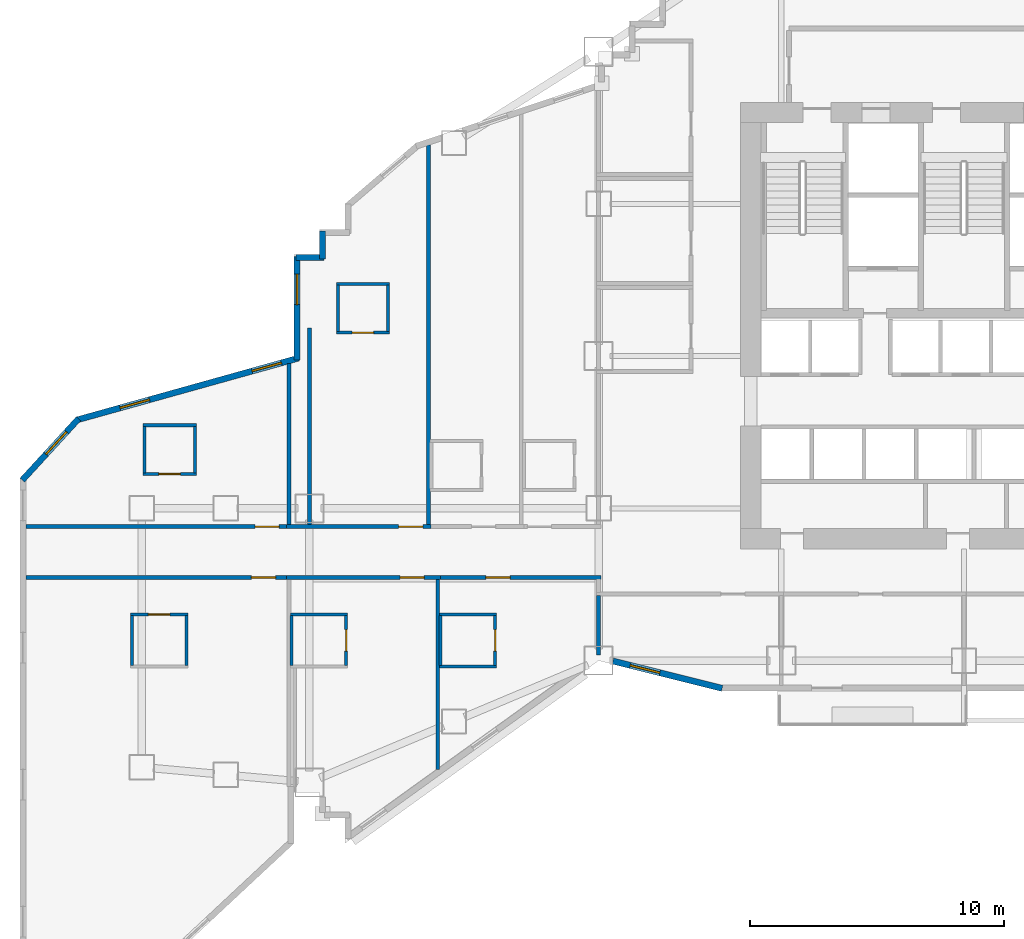
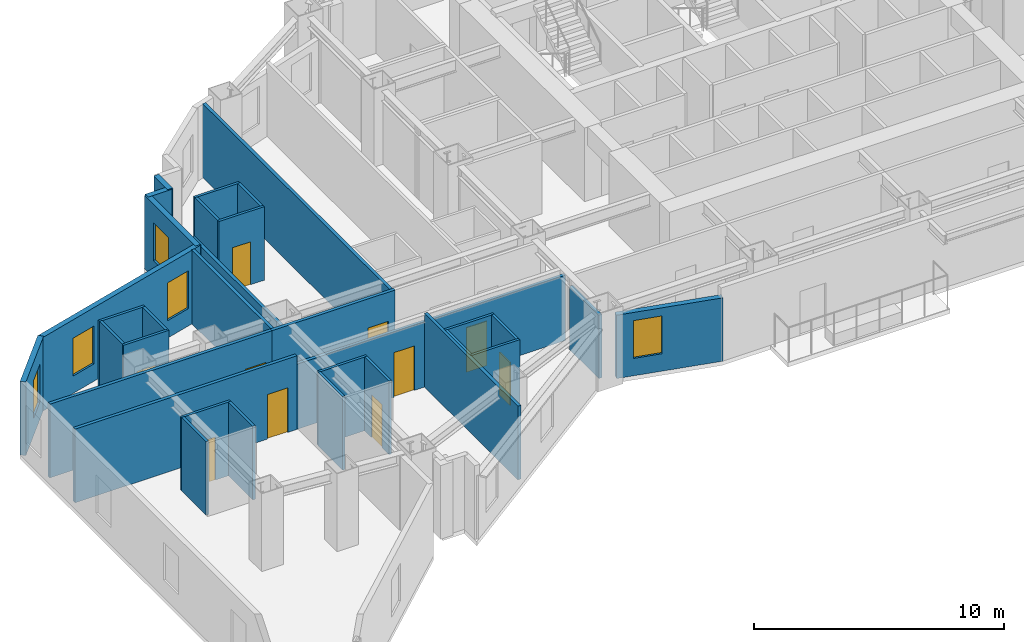
# One storey, part 7 of 15: 34 walls, 10 doors, 5 windows, 15 openings.
"""IFC4 building model written with IfcOpenShell, lengths in metres."""

import ifcopenshell
import ifcopenshell.guid

model = None  # the IFC model being written
_history = None  # IfcOwnerHistory: only IFC2X3 demands one
_inside = {}  # id of a spatial element -> (the spatial element, [elements in it])
_under = {}  # id of a project, library or spatial element -> (it, [spatial elements below it])
_declared = {}  # id of a project -> (the project, [libraries it declares])
_typed = {}  # id of a type object -> (the type object, [elements of that type])
_made_of = {}  # id of a material, layer set ... -> (it, [elements and type objects made of it])


def new_model(schema):
    """Start an empty IFC model of exactly this schema.

    Asked for "IFC4X3", IfcOpenShell would pick the latest addendum, in which some entities
    have other attributes; the version numbers below select the first issue.
    IFC2X3 requires an IfcOwnerHistory on every rooted entity: one is made here for all.
    """
    global model, _history
    if schema == "IFC4X3":
        model = ifcopenshell.file(schema_version=(4, 3, 0, 0))
    else:
        model = ifcopenshell.file(schema=schema)
    _inside.clear()
    _under.clear()
    _declared.clear()
    _typed.clear()
    _made_of.clear()
    _history = None
    if model.schema == "IFC2X3":
        org = make("IfcOrganization", Name="unknown")
        user = make(
            "IfcPersonAndOrganization",
            ThePerson=make("IfcPerson", FamilyName="unknown"),
            TheOrganization=org,
        )
        app = make(
            "IfcApplication",
            ApplicationDeveloper=org,
            Version="unknown",
            ApplicationFullName="unknown",
            ApplicationIdentifier="unknown",
        )
        _history = make(
            "IfcOwnerHistory",
            OwningUser=user,
            OwningApplication=app,
            ChangeAction="ADDED",
            CreationDate=0,
        )
    return model


def make(cls, **values):
    """One entity of the class cls with the attributes given. An attribute that is None is left unset."""
    return model.create_entity(
        cls, **{name: value for name, value in values.items() if value is not None}
    )


def rooted(cls, **values):
    """An entity with a GlobalId (a new one), such as an element, a storey or a relation."""
    return make(cls, GlobalId=ifcopenshell.guid.new(), OwnerHistory=_history, **values)


def si_unit(unit_type, name, prefix=None):
    """IfcSIUnit, for example si_unit("LENGTHUNIT", "METRE", prefix="MILLI")."""
    return make("IfcSIUnit", UnitType=unit_type, Prefix=prefix, Name=name)


def assignment(units):
    """IfcUnitAssignment: the units of a project."""
    return None if units is None else make("IfcUnitAssignment", Units=units)


def point(xyz):
    """IfcCartesianPoint."""
    return None if xyz is None else make("IfcCartesianPoint", Coordinates=xyz)


def direction(xyz):
    """IfcDirection."""
    return None if xyz is None else make("IfcDirection", DirectionRatios=xyz)


def frame(location, z_axis=None, x_axis=None):
    """IfcAxis2Placement3D, a coordinate frame: its origin and axes. An axis left out is left unset."""
    return make(
        "IfcAxis2Placement3D",
        Location=point(location),
        Axis=direction(z_axis),
        RefDirection=direction(x_axis),
    )


def frame_2d(location, x_axis=None):
    """IfcAxis2Placement2D, a coordinate frame in the plane: its origin and x axis."""
    return make(
        "IfcAxis2Placement2D", Location=point(location), RefDirection=direction(x_axis)
    )


def origin():
    """The frame at (0, 0, 0) with its axes left unset."""
    return frame((0.0, 0.0, 0.0))


def place(relative_to, where):
    """IfcLocalPlacement: puts the frame where relative to a parent placement (None: the world)."""
    return make(
        "IfcLocalPlacement", PlacementRelTo=relative_to, RelativePlacement=where
    )


def context(
    kind, dimensions, precision=None, world=None, true_north=None, identifier=None
):
    """IfcGeometricRepresentationContext, for example the 3D "Model" context."""
    return make(
        "IfcGeometricRepresentationContext",
        ContextIdentifier=identifier,
        ContextType=kind,
        CoordinateSpaceDimension=dimensions,
        Precision=precision,
        WorldCoordinateSystem=world,
        TrueNorth=true_north,
    )


def subcontext(parent, identifier, kind, view, scale=None):
    """IfcGeometricRepresentationSubContext, for example "Body" below "Model"."""
    return make(
        "IfcGeometricRepresentationSubContext",
        ContextIdentifier=identifier,
        ContextType=kind,
        ParentContext=parent,
        TargetScale=scale,
        TargetView=view,
    )


def project(units=None, contexts=None):
    """IfcProject with its units and contexts."""
    return rooted(
        "IfcProject",
        Name="project",
        RepresentationContexts=contexts,
        UnitsInContext=assignment(units),
    )


def spatial(cls, under=None, at=None, **own):
    """A site, building, storey or space (cls), placed at a placement, below another one or the project."""
    s = rooted(cls, ObjectPlacement=at, **own)
    if under is not None:
        _under.setdefault(under.id(), (under, []))[1].append(s)
    return s


def profile(cls, at=None, kind="AREA", **sizes):
    """A parametric profile (cls). Its sizes go by their IFC names, for example OverallWidth=200.0."""
    return make(cls, ProfileType=kind, Position=at, **sizes)


def rectangle(**sizes):
    """IfcRectangleProfileDef."""
    return profile("IfcRectangleProfileDef", **sizes)


def extrude(swept, where, along, depth):
    """IfcExtrudedAreaSolid: the profile swept, set in the frame where, extruded along a direction by depth."""
    return make(
        "IfcExtrudedAreaSolid",
        SweptArea=swept,
        Position=where,
        ExtrudedDirection=direction(along),
        Depth=depth,
    )


def shape(context_of_items, identifier, shape_type, items):
    """IfcShapeRepresentation: the items that make up one representation, for example the "Body"."""
    return make(
        "IfcShapeRepresentation",
        ContextOfItems=context_of_items,
        RepresentationIdentifier=identifier,
        RepresentationType=shape_type,
        Items=items,
    )


def material(Name=None, Category=None):
    """IfcMaterial."""
    return make("IfcMaterial", Name=Name, Category=Category)


def layer(
    of_material, thickness, ventilated=None, Name=None, Category=None, Priority=None
):
    """IfcMaterialLayer: one layer of a wall or slab, of a material (None: an air gap)."""
    return make(
        "IfcMaterialLayer",
        Material=of_material,
        LayerThickness=thickness,
        IsVentilated=ventilated,
        Name=Name,
        Category=Category,
        Priority=Priority,
    )


def layer_set(layers, Name=None):
    """IfcMaterialLayerSet."""
    return make("IfcMaterialLayerSet", MaterialLayers=layers, LayerSetName=Name)


def made_of(thing, what):
    """Note that an element or type object is made of a material, layer set ...; save() writes the relation."""
    if what is not None:
        _made_of.setdefault(what.id(), (what, []))[1].append(thing)
    return thing


def type_object(cls, material=None, **own):
    """A type object (cls), such as IfcWallType, which elements share."""
    return made_of(rooted(cls, **own), material)


def element(
    cls,
    number,
    at=None,
    inside=None,
    cuts=None,
    type_object=None,
    material=None,
    context=None,
    identifier="Body",
    shape_type=None,
    held_by="IfcProductDefinitionShape",
    body=None,
    shapes=None,
    **own,
):
    """One element of the class cls, such as IfcWall. Its Tag is "e" and its number.

    at: its placement. inside: the storey or other place that contains it. cuts: it is an
    opening in that element (IfcRelVoidsElement). A single representation is given by context,
    identifier, shape_type and body (its items); several are given by shapes. held_by: the class
    of the entity that holds the representations. save() writes the other relations.
    """
    e = rooted(cls, Tag="e%d" % number, ObjectPlacement=at, **own)
    if body is not None:
        shapes = [shape(context, identifier, shape_type, body)]
    if shapes is not None:
        e.Representation = make(held_by, Representations=shapes)
    if inside is not None:
        _inside.setdefault(inside.id(), (inside, []))[1].append(e)
    if cuts is not None:
        rooted(
            "IfcRelVoidsElement", RelatingBuildingElement=cuts, RelatedOpeningElement=e
        )
    if type_object is not None:
        _typed.setdefault(type_object.id(), (type_object, []))[1].append(e)
    return made_of(e, material)


def fill(opening, filler):
    """IfcRelFillsElement: the door or window that sits in an opening."""
    return rooted(
        "IfcRelFillsElement",
        RelatingOpeningElement=opening,
        RelatedBuildingElement=filler,
    )


def aggregate(whole, parts):
    """IfcRelAggregates: a whole, such as a stair, and the parts it consists of."""
    return rooted("IfcRelAggregates", RelatingObject=whole, RelatedObjects=parts)


def save(model, path):
    """Write the relations noted so far, then the file.

    IfcRelAggregates (storeys below a building ...), IfcRelContainedInSpatialStructure (elements
    in a storey), IfcRelDefinesByType, IfcRelAssociatesMaterial and IfcRelDeclares: one each for
    every whole, place, type object, material and project.
    """
    for whole, parts in _under.values():
        aggregate(whole, parts)
    for where, things in _inside.values():
        rooted(
            "IfcRelContainedInSpatialStructure",
            RelatedElements=things,
            RelatingStructure=where,
        )
    for kind, things in _typed.values():
        rooted("IfcRelDefinesByType", RelatedObjects=things, RelatingType=kind)
    for what, things in _made_of.values():
        rooted("IfcRelAssociatesMaterial", RelatedObjects=things, RelatingMaterial=what)
    for by, libraries in _declared.values():
        rooted("IfcRelDeclares", RelatingContext=by, RelatedDefinitions=libraries)
    model.write(path)


model = new_model("IFC4")

# Units and contexts
model_context = context("Model", 3, precision=1e-05, world=origin(), true_north=direction((0.0, 1.0)))
body_context = subcontext(model_context, "Body", "Model", "MODEL_VIEW")
ifc_project = project(units=[si_unit("LENGTHUNIT", "METRE"), si_unit("AREAUNIT", "SQUARE_METRE"), si_unit("VOLUMEUNIT", "CUBIC_METRE"), si_unit("PLANEANGLEUNIT", "RADIAN"), si_unit("MASSUNIT", "GRAM", prefix="KILO")], contexts=[model_context])

# Site, building, storey
site_placement = place(None, origin())
site = spatial("IfcSite", under=ifc_project, at=site_placement, CompositionType="ELEMENT")
building_placement = place(site_placement, origin())
building = spatial("IfcBuilding", under=site, at=building_placement, Name="Haolan Belvedere Tower", CompositionType="ELEMENT")
storey_placement = place(building_placement, frame((0.0, 0.0, 66.60009765625)))
storey = spatial("IfcBuildingStorey", under=building, at=storey_placement, Name="L16", CompositionType="ELEMENT", Elevation=66.60009765625)

# Wall, opening, window
ifc_material_1 = material(Name="Precast concrete C40/50", Category="concrete")
ifc_layer_1 = layer(ifc_material_1, 0.239990234375, Name="Precast concrete C40/50")
ifc_layer_set_1 = layer_set([ifc_layer_1], Name="Precast concrete C40/50")
wall_type_1 = type_object("IfcWallType", Name="WL-EXT-240", PredefinedType="SOLIDWALL", material=ifc_layer_set_1)
wall_1_placement = place(storey_placement, frame((24.56689453125, 21.581787109375, 0.0), z_axis=(0.0, 0.0, 1.0), x_axis=(0.970148978127, -0.24250971164, 0.0)))
wall_1 = element("IfcWall", 1, at=wall_1_placement, inside=storey, type_object=wall_type_1, Name="L16 pale-metal exterior spandrel wall 12.1", PredefinedType="SOLIDWALL", context=body_context, shape_type="SweptSolid", body=[
    extrude(rectangle(XDim=4.43359375, YDim=0.239990234375, at=frame_2d((2.216796875, 0.0))), origin(), (0.0, 0.0, 1.0), 3.096923828125),
])
opening_1_placement = place(wall_1_placement, frame((0.699951171875, 0.0, 0.85009765625)))
opening_1 = element("IfcOpeningElement", 2, at=opening_1_placement, cuts=wall_1, Name="Opening W-01", PredefinedType="OPENING", context=body_context, shape_type="SweptSolid", body=[
    extrude(rectangle(XDim=1.199951171875, YDim=1.85009765625, at=frame_2d((0.60009765625, 0.925048828125))), frame((0.0, 0.1298828125, 0.0), z_axis=(0.0, -1.0, 0.0), x_axis=(1.0, 0.0, 0.0)), (0.0, 0.0, 1.0), 0.260009765625),
])
ifc_material_2 = material(Name="Anodised aluminium 6063-T6 and Low-E glass", Category="aluminium")
window_type = type_object("IfcWindowType", Name="WN-DECO-Z1", PartitioningType="SINGLE_PANEL", PredefinedType="WINDOW", material=ifc_material_2)
window_1_placement = place(opening_1_placement, origin())
window_1 = element("IfcWindow", 3, at=window_1_placement, inside=storey, type_object=window_type, Name="L16 Art Deco chevron window 1", OverallHeight=1.85009765625, OverallWidth=1.199951171875, PartitioningType="SINGLE_PANEL", PredefinedType="WINDOW", context=body_context, shape_type="SweptSolid", body=[
    extrude(rectangle(XDim=1.199951171875, YDim=1.85009765625, at=frame_2d((0.60009765625, 0.925048828125))), frame((0.0, 0.030029296875, 0.0), z_axis=(0.0, -1.0, 0.0), x_axis=(1.0, 0.0, 0.0)), (0.0, 0.0, 1.0), 0.06005859375),
])
fill(opening_1, window_1)

# Walls
wall_2_placement = place(storey_placement, frame((13.1201171875, 38.534912109375, 0.0), z_axis=(0.0, 0.0, 1.0), x_axis=(0.0, -1.0, 0.0)))
element("IfcWall", 4, at=wall_2_placement, inside=storey, type_object=wall_type_1, Name="L16 pale-metal exterior spandrel wall 54.1", PredefinedType="SOLIDWALL", context=body_context, shape_type="SweptSolid", body=[
    extrude(rectangle(XDim=1.10986328125, YDim=0.239990234375, at=frame_2d((0.554931640625, 0.0))), origin(), (0.0, 0.0, 1.0), 3.599853515625),
])
wall_3_placement = place(storey_placement, frame((13.175048828125, 37.47998046875, 0.0), z_axis=(0.0, 0.0, 1.0), x_axis=(-1.0, 0.0, 0.0)))
element("IfcWall", 5, at=wall_3_placement, inside=storey, type_object=wall_type_1, Name="L16 pale-metal exterior spandrel wall 55.1", PredefinedType="SOLIDWALL", context=body_context, shape_type="SweptSolid", body=[
    extrude(rectangle(XDim=1.110107421875, YDim=0.239990234375, at=frame_2d((0.55517578125, 0.0))), origin(), (0.0, 0.0, 1.0), 3.599853515625),
])

# Wall, opening, window
wall_4_placement = place(storey_placement, frame((12.1201171875, 37.534912109375, 0.0), z_axis=(0.0, 0.0, 1.0), x_axis=(0.0, -1.0, 0.0)))
wall_4 = element("IfcWall", 6, at=wall_4_placement, inside=storey, type_object=wall_type_1, Name="L16 pale-metal exterior spandrel wall 56.1", PredefinedType="SOLIDWALL", context=body_context, shape_type="SweptSolid", body=[
    extrude(rectangle(XDim=4.0810546875, YDim=0.239990234375, at=frame_2d((2.04052734375, 0.0))), origin(), (0.0, 0.0, 1.0), 3.599853515625),
])
opening_2_placement = place(wall_4_placement, frame((0.699951171875, 0.0, 0.85009765625)))
opening_2 = element("IfcOpeningElement", 7, at=opening_2_placement, cuts=wall_4, Name="Opening W-01", PredefinedType="OPENING", context=body_context, shape_type="SweptSolid", body=[
    extrude(rectangle(XDim=1.199951171875, YDim=1.85009765625, at=frame_2d((0.60009765625, 0.925048828125))), frame((0.0, 0.1298828125, 0.0), z_axis=(0.0, -1.0, 0.0), x_axis=(1.0, 0.0, 0.0)), (0.0, 0.0, 1.0), 0.260009765625),
])
window_2_placement = place(opening_2_placement, origin())
window_2 = element("IfcWindow", 8, at=window_2_placement, inside=storey, type_object=window_type, Name="L16 Art Deco chevron window 1", OverallHeight=1.85009765625, OverallWidth=1.199951171875, PartitioningType="SINGLE_PANEL", PredefinedType="WINDOW", context=body_context, shape_type="SweptSolid", body=[
    extrude(rectangle(XDim=1.199951171875, YDim=1.85009765625, at=frame_2d((0.60009765625, 0.925048828125))), frame((0.0, 0.030029296875, 0.0), z_axis=(0.0, -1.0, 0.0), x_axis=(1.0, 0.0, 0.0)), (0.0, 0.0, 1.0), 0.06005859375),
])
fill(opening_2, window_2)

# Wall, openings, windows
wall_5_placement = place(storey_placement, frame((12.173095703125, 33.523681640625, 0.0), z_axis=(0.0, 0.0, 1.0), x_axis=(-0.963197271032, -0.268795493036, 0.0)))
wall_5 = element("IfcWall", 9, at=wall_5_placement, inside=storey, type_object=wall_type_1, Name="L16 pale-metal exterior spandrel wall 57.1", PredefinedType="SOLIDWALL", context=body_context, shape_type="SweptSolid", body=[
    extrude(rectangle(XDim=9.095458984375, YDim=0.239990234375, at=frame_2d((4.5478515625, 0.0))), origin(), (0.0, 0.0, 1.0), 3.599853515625),
])
opening_3_placement = place(wall_5_placement, frame((0.699951171875, 0.0, 0.85009765625)))
opening_3 = element("IfcOpeningElement", 10, at=opening_3_placement, cuts=wall_5, Name="Opening W-01", PredefinedType="OPENING", context=body_context, shape_type="SweptSolid", body=[
    extrude(rectangle(XDim=1.199951171875, YDim=1.85009765625, at=frame_2d((0.60009765625, 0.925048828125))), frame((0.0, 0.1298828125, 0.0), z_axis=(0.0, -1.0, 0.0), x_axis=(1.0, 0.0, 0.0)), (0.0, 0.0, 1.0), 0.260009765625),
])
opening_4_placement = place(wall_5_placement, frame((6.10009765625, 0.0, 0.85009765625)))
opening_4 = element("IfcOpeningElement", 11, at=opening_4_placement, cuts=wall_5, Name="Opening W-01", PredefinedType="OPENING", context=body_context, shape_type="SweptSolid", body=[
    extrude(rectangle(XDim=1.199951171875, YDim=1.85009765625, at=frame_2d((0.60009765625, 0.925048828125))), frame((0.0, 0.1298828125, 0.0), z_axis=(0.0, -1.0, 0.0), x_axis=(1.0, 0.0, 0.0)), (0.0, 0.0, 1.0), 0.260009765625),
])
window_3_placement = place(opening_3_placement, origin())
window_3 = element("IfcWindow", 12, at=window_3_placement, inside=storey, type_object=window_type, Name="L16 Art Deco chevron window 1", OverallHeight=1.85009765625, OverallWidth=1.199951171875, PartitioningType="SINGLE_PANEL", PredefinedType="WINDOW", context=body_context, shape_type="SweptSolid", body=[
    extrude(rectangle(XDim=1.199951171875, YDim=1.85009765625, at=frame_2d((0.60009765625, 0.925048828125))), frame((0.0, 0.030029296875, 0.0), z_axis=(0.0, -1.0, 0.0), x_axis=(1.0, 0.0, 0.0)), (0.0, 0.0, 1.0), 0.06005859375),
])
fill(opening_3, window_3)
window_4_placement = place(opening_4_placement, origin())
window_4 = element("IfcWindow", 13, at=window_4_placement, inside=storey, type_object=window_type, Name="L16 Art Deco chevron window 2", OverallHeight=1.85009765625, OverallWidth=1.199951171875, PartitioningType="SINGLE_PANEL", PredefinedType="WINDOW", context=body_context, shape_type="SweptSolid", body=[
    extrude(rectangle(XDim=1.199951171875, YDim=1.85009765625, at=frame_2d((0.60009765625, 0.925048828125))), frame((0.0, 0.030029296875, 0.0), z_axis=(0.0, -1.0, 0.0), x_axis=(1.0, 0.0, 0.0)), (0.0, 0.0, 1.0), 0.06005859375),
])
fill(opening_4, window_4)

# Wall, opening, window
wall_6_placement = place(storey_placement, frame((3.50244140625, 31.134033203125, 0.0), z_axis=(0.0, 0.0, 1.0), x_axis=(-0.675781844312, -0.737101688302, 0.0)))
wall_6 = element("IfcWall", 14, at=wall_6_placement, inside=storey, type_object=wall_type_1, Name="L16 pale-metal exterior spandrel wall 58.1", PredefinedType="SOLIDWALL", context=body_context, shape_type="SweptSolid", body=[
    extrude(rectangle(XDim=3.28466796875, YDim=0.239990234375, at=frame_2d((1.642333984375, 0.0))), origin(), (0.0, 0.0, 1.0), 3.599853515625),
])
opening_5_placement = place(wall_6_placement, frame((0.699951171875, 0.0, 0.85009765625)))
opening_5 = element("IfcOpeningElement", 15, at=opening_5_placement, cuts=wall_6, Name="Opening W-01", PredefinedType="OPENING", context=body_context, shape_type="SweptSolid", body=[
    extrude(rectangle(XDim=1.199951171875, YDim=1.85009765625, at=frame_2d((0.60009765625, 0.925048828125))), frame((0.0, 0.1298828125, 0.0), z_axis=(0.0, -1.0, 0.0), x_axis=(1.0, 0.0, 0.0)), (0.0, 0.0, 1.0), 0.260009765625),
])
window_5_placement = place(opening_5_placement, origin())
window_5 = element("IfcWindow", 16, at=window_5_placement, inside=storey, type_object=window_type, Name="L16 Art Deco chevron window 1", OverallHeight=1.85009765625, OverallWidth=1.199951171875, PartitioningType="SINGLE_PANEL", PredefinedType="WINDOW", context=body_context, shape_type="SweptSolid", body=[
    extrude(rectangle(XDim=1.199951171875, YDim=1.85009765625, at=frame_2d((0.60009765625, 0.925048828125))), frame((0.0, 0.030029296875, 0.0), z_axis=(0.0, -1.0, 0.0), x_axis=(1.0, 0.0, 0.0)), (0.0, 0.0, 1.0), 0.06005859375),
])
fill(opening_5, window_5)

# Wall
ifc_material_3 = material(Name="Double gypsum acoustic stud partition", Category="masonry")
ifc_layer_2 = layer(ifc_material_3, 0.14990234375, Name="Double gypsum acoustic stud partition")
ifc_layer_set_2 = layer_set([ifc_layer_2], Name="Double gypsum acoustic stud partition")
wall_type_2 = type_object("IfcWallType", Name="WL-PART-150", PredefinedType="PARTITIONING", material=ifc_layer_set_2)
wall_7_placement = place(storey_placement, frame((24.0, 21.818603515625, 0.0), z_axis=(0.0, 0.0, 1.0), x_axis=(0.0, 1.0, 0.0)))
element("IfcWall", 17, at=wall_7_placement, inside=storey, type_object=wall_type_2, Name="L16 interior partition IW-L16-KS1-W", PredefinedType="PARTITIONING", context=body_context, shape_type="SweptSolid", body=[
    extrude(rectangle(XDim=2.34130859375, YDim=0.14990234375, at=frame_2d((1.170654296875, 0.0))), origin(), (0.0, 0.0, 1.0), 3.096923828125),
])

# Wall, opening, door
wall_8_placement = place(storey_placement, frame((11.699951171875, 26.8798828125, 0.0), z_axis=(0.0, 0.0, 1.0), x_axis=(1.0, 0.0, 0.0)))
wall_8 = element("IfcWall", 18, at=wall_8_placement, inside=storey, type_object=wall_type_2, Name="L16 interior partition IW-L16-T2N1-S", PredefinedType="PARTITIONING", context=body_context, shape_type="SweptSolid", body=[
    extrude(rectangle(XDim=5.68994140625, YDim=0.14990234375, at=frame_2d((2.844970703125, 0.0))), origin(), (0.0, 0.0, 1.0), 3.599853515625),
])
opening_6_placement = place(wall_8_placement, frame((4.422119140625, 0.0, 0.0)))
opening_6 = element("IfcOpeningElement", 19, at=opening_6_placement, cuts=wall_8, Name="Opening ID-01", PredefinedType="OPENING", context=body_context, shape_type="SweptSolid", body=[
    extrude(rectangle(XDim=0.949951171875, YDim=2.179931640625, at=frame_2d((0.47509765625, 1.08984375))), frame((0.0, 0.0849609375, 0.0), z_axis=(0.0, -1.0, 0.0), x_axis=(1.0, 0.0, 0.0)), (0.0, 0.0, 1.0), 0.169921875),
])
ifc_material_4 = material(Name="Acoustic walnut veneer fire-rated timber", Category="wood")
door_type_1 = type_object("IfcDoorType", Name="DR-SUITE-950", OperationType="NOTDEFINED", PredefinedType="DOOR", material=ifc_material_4)
door_1_placement = place(opening_6_placement, origin())
door_1 = element("IfcDoor", 20, at=door_1_placement, inside=storey, type_object=door_type_1, Name="L16 door ID-L16-T2N1-ENT", OperationType="SINGLE_SWING_RIGHT", OverallHeight=2.179931640625, OverallWidth=0.949951171875, PredefinedType="DOOR", context=body_context, shape_type="SweptSolid", body=[
    extrude(rectangle(XDim=0.949951171875, YDim=2.179931640625, at=frame_2d((0.47509765625, 1.08984375))), frame((0.0, 0.02490234375, 0.0), z_axis=(0.0, -1.0, 0.0), x_axis=(1.0, 0.0, 0.0)), (0.0, 0.0, 1.0), 0.050048828125),
])
fill(opening_6, door_1)

# Walls
wall_9_placement = place(storey_placement, frame((11.800048828125, 26.93994140625, 0.0), z_axis=(0.0, 0.0, 1.0), x_axis=(0.0, 1.0, 0.0)))
element("IfcWall", 21, at=wall_9_placement, inside=storey, type_object=wall_type_2, Name="L16 interior partition IW-L16-T2N1-W", PredefinedType="PARTITIONING", context=body_context, shape_type="SweptSolid", body=[
    extrude(rectangle(XDim=6.37060546875, YDim=0.14990234375, at=frame_2d((3.185302734375, 0.0))), origin(), (0.0, 0.0, 1.0), 3.599853515625),
])
wall_10_placement = place(storey_placement, frame((17.2900390625, 26.93994140625, 0.0), z_axis=(0.0, 0.0, 1.0), x_axis=(0.0, 1.0, 0.0)))
element("IfcWall", 22, at=wall_10_placement, inside=storey, type_object=wall_type_2, Name="L16 interior partition IW-L16-T2N1-E", PredefinedType="PARTITIONING", context=body_context, shape_type="SweptSolid", body=[
    extrude(rectangle(XDim=14.986328125, YDim=0.14990234375, at=frame_2d((7.4931640625, 0.0))), origin(), (0.0, 0.0, 1.0), 3.599853515625),
])

# Wall, opening, door
wall_11_placement = place(storey_placement, frame((11.699951171875, 24.8701171875, 0.0), z_axis=(0.0, 0.0, 1.0), x_axis=(1.0, 0.0, 0.0)))
wall_11 = element("IfcWall", 23, at=wall_11_placement, inside=storey, type_object=wall_type_2, Name="L16 interior partition IW-L16-T2S1-N", PredefinedType="PARTITIONING", context=body_context, shape_type="SweptSolid", body=[
    extrude(rectangle(XDim=6.06005859375, YDim=0.14990234375, at=frame_2d((3.030029296875, 0.0))), origin(), (0.0, 0.0, 1.0), 3.184814453125),
])
opening_7_placement = place(wall_11_placement, frame((5.427490234375, 0.0, 0.0), z_axis=(0.0, 0.0, 1.0), x_axis=(-1.0, 0.0, 0.0)))
opening_7 = element("IfcOpeningElement", 24, at=opening_7_placement, cuts=wall_11, Name="Opening ID-01", PredefinedType="OPENING", context=body_context, shape_type="SweptSolid", body=[
    extrude(rectangle(XDim=0.949951171875, YDim=2.179931640625, at=frame_2d((0.47509765625, 1.08984375))), frame((0.0, 0.0849609375, 0.0), z_axis=(0.0, -1.0, 0.0), x_axis=(1.0, 0.0, 0.0)), (0.0, 0.0, 1.0), 0.169921875),
])
door_2_placement = place(opening_7_placement, origin())
door_2 = element("IfcDoor", 25, at=door_2_placement, inside=storey, type_object=door_type_1, Name="L16 door ID-L16-T2S1-ENT", OperationType="SINGLE_SWING_LEFT", OverallHeight=2.179931640625, OverallWidth=0.949951171875, PredefinedType="DOOR", context=body_context, shape_type="SweptSolid", body=[
    extrude(rectangle(XDim=0.949951171875, YDim=2.179931640625, at=frame_2d((0.47509765625, 1.08984375))), frame((0.0, 0.02490234375, 0.0), z_axis=(0.0, -1.0, 0.0), x_axis=(1.0, 0.0, 0.0)), (0.0, 0.0, 1.0), 0.050048828125),
])
fill(opening_7, door_2)

# Wall
wall_12_placement = place(storey_placement, frame((17.659912109375, 17.3125, 0.0), z_axis=(0.0, 0.0, 1.0), x_axis=(0.0, 1.0, 0.0)))
element("IfcWall", 26, at=wall_12_placement, inside=storey, type_object=wall_type_2, Name="L16 interior partition IW-L16-T2S1-E", PredefinedType="PARTITIONING", context=body_context, shape_type="SweptSolid", body=[
    extrude(rectangle(XDim=7.49755859375, YDim=0.14990234375, at=frame_2d((3.748779296875, 0.0))), origin(), (0.0, 0.0, 1.0), 3.599853515625),
])

# Wall, opening, door
wall_13_placement = place(storey_placement, frame((17.761962890625, 24.8701171875, 0.0), z_axis=(0.0, 0.0, 1.0), x_axis=(1.0, 0.0, 0.0)))
wall_13 = element("IfcWall", 27, at=wall_13_placement, inside=storey, type_object=wall_type_2, Name="L16 interior partition IW-L16-T2S2-N", PredefinedType="PARTITIONING", context=body_context, shape_type="SweptSolid", body=[
    extrude(rectangle(XDim=6.338134765625, YDim=0.14990234375, at=frame_2d((3.1689453125, 0.0))), origin(), (0.0, 0.0, 1.0), 3.184814453125),
])
opening_8_placement = place(wall_13_placement, frame((2.7470703125, 0.0, 0.0), z_axis=(0.0, 0.0, 1.0), x_axis=(-1.0, 0.0, 0.0)))
opening_8 = element("IfcOpeningElement", 28, at=opening_8_placement, cuts=wall_13, Name="Opening ID-01", PredefinedType="OPENING", context=body_context, shape_type="SweptSolid", body=[
    extrude(rectangle(XDim=0.949951171875, YDim=2.179931640625, at=frame_2d((0.47509765625, 1.08984375))), frame((0.0, 0.0849609375, 0.0), z_axis=(0.0, -1.0, 0.0), x_axis=(1.0, 0.0, 0.0)), (0.0, 0.0, 1.0), 0.169921875),
])
door_3_placement = place(opening_8_placement, origin())
door_3 = element("IfcDoor", 29, at=door_3_placement, inside=storey, type_object=door_type_1, Name="L16 door ID-L16-T2S2-ENT", OperationType="SINGLE_SWING_RIGHT", OverallHeight=2.179931640625, OverallWidth=0.949951171875, PredefinedType="DOOR", context=body_context, shape_type="SweptSolid", body=[
    extrude(rectangle(XDim=0.949951171875, YDim=2.179931640625, at=frame_2d((0.47509765625, 1.08984375))), frame((0.0, 0.02490234375, 0.0), z_axis=(0.0, -1.0, 0.0), x_axis=(1.0, 0.0, 0.0)), (0.0, 0.0, 1.0), 0.050048828125),
])
fill(opening_8, door_3)

wall_14_placement = place(storey_placement, frame((1.425048828125, 24.8701171875, 0.0), z_axis=(0.0, 0.0, 1.0), x_axis=(1.0, 0.0, 0.0)))
wall_14 = element("IfcWall", 30, at=wall_14_placement, inside=storey, type_object=wall_type_2, Name="L16 interior partition IW-L16-T1S1-N", PredefinedType="PARTITIONING", context=body_context, shape_type="SweptSolid", body=[
    extrude(rectangle(XDim=10.27294921875, YDim=0.14990234375, at=frame_2d((5.136474609375, 0.0))), origin(), (0.0, 0.0, 1.0), 3.599853515625),
])
opening_9_placement = place(wall_14_placement, frame((9.84375, 0.0, 0.0), z_axis=(0.0, 0.0, 1.0), x_axis=(-1.0, 0.0, 0.0)))
opening_9 = element("IfcOpeningElement", 31, at=opening_9_placement, cuts=wall_14, Name="Opening ID-01", PredefinedType="OPENING", context=body_context, shape_type="SweptSolid", body=[
    extrude(rectangle(XDim=0.949951171875, YDim=2.179931640625, at=frame_2d((0.47509765625, 1.08984375))), frame((0.0, 0.0849609375, 0.0), z_axis=(0.0, -1.0, 0.0), x_axis=(1.0, 0.0, 0.0)), (0.0, 0.0, 1.0), 0.169921875),
])
door_4_placement = place(opening_9_placement, origin())
door_4 = element("IfcDoor", 32, at=door_4_placement, inside=storey, type_object=door_type_1, Name="L16 door ID-L16-T1S1-ENT", OperationType="SINGLE_SWING_RIGHT", OverallHeight=2.179931640625, OverallWidth=0.949951171875, PredefinedType="DOOR", context=body_context, shape_type="SweptSolid", body=[
    extrude(rectangle(XDim=0.949951171875, YDim=2.179931640625, at=frame_2d((0.47509765625, 1.08984375))), frame((0.0, 0.02490234375, 0.0), z_axis=(0.0, -1.0, 0.0), x_axis=(1.0, 0.0, 0.0)), (0.0, 0.0, 1.0), 0.050048828125),
])
fill(opening_9, door_4)

wall_15_placement = place(storey_placement, frame((1.425048828125, 26.8798828125, 0.0), z_axis=(0.0, 0.0, 1.0), x_axis=(1.0, 0.0, 0.0)))
wall_15 = element("IfcWall", 33, at=wall_15_placement, inside=storey, type_object=wall_type_2, Name="L16 interior partition IW-L16-T1N1-S", PredefinedType="PARTITIONING", context=body_context, shape_type="SweptSolid", body=[
    extrude(rectangle(XDim=10.27294921875, YDim=0.14990234375, at=frame_2d((5.136474609375, 0.0))), origin(), (0.0, 0.0, 1.0), 3.599853515625),
])
opening_10_placement = place(wall_15_placement, frame((9.036376953125, 0.0, 0.0)))
opening_10 = element("IfcOpeningElement", 34, at=opening_10_placement, cuts=wall_15, Name="Opening ID-02", PredefinedType="OPENING", context=body_context, shape_type="SweptSolid", body=[
    extrude(rectangle(XDim=0.949951171875, YDim=2.14990234375, at=frame_2d((0.47509765625, 1.074951171875))), frame((0.0, 0.0849609375, 0.0), z_axis=(0.0, -1.0, 0.0), x_axis=(1.0, 0.0, 0.0)), (0.0, 0.0, 1.0), 0.169921875),
])
ifc_material_5 = material(Name="Acoustic oak veneer fire-rated timber", Category="wood")
door_type_2 = type_object("IfcDoorType", Name="DR-GUEST-950", OperationType="NOTDEFINED", PredefinedType="DOOR", material=ifc_material_5)
door_5_placement = place(opening_10_placement, origin())
door_5 = element("IfcDoor", 35, at=door_5_placement, inside=storey, type_object=door_type_2, Name="L16 door ID-L16-T1N1-ENT", OperationType="SINGLE_SWING_RIGHT", OverallHeight=2.14990234375, OverallWidth=0.949951171875, PredefinedType="DOOR", context=body_context, shape_type="SweptSolid", body=[
    extrude(rectangle(XDim=0.949951171875, YDim=2.14990234375, at=frame_2d((0.47509765625, 1.074951171875))), frame((0.0, 0.02490234375, 0.0), z_axis=(0.0, -1.0, 0.0), x_axis=(1.0, 0.0, 0.0)), (0.0, 0.0, 1.0), 0.050048828125),
])
fill(opening_10, door_5)

# Walls
wall_16_placement = place(storey_placement, frame((12.60009765625, 26.93994140625, 0.0), z_axis=(0.0, 0.0, 1.0), x_axis=(0.0, 1.0, 0.0)))
element("IfcWall", 36, at=wall_16_placement, inside=storey, type_object=wall_type_2, Name="L16 interior partition IW-L16-T1N1-E", PredefinedType="PARTITIONING", context=body_context, shape_type="SweptSolid", body=[
    extrude(rectangle(XDim=7.760009765625, YDim=0.14990234375, at=frame_2d((3.8798828125, 0.0))), origin(), (0.0, 0.0, 1.0), 3.096923828125),
])
ifc_material_6 = material(Name="Moisture-resistant gypsum tile partition", Category="masonry")
ifc_layer_3 = layer(ifc_material_6, 0.1201171875, Name="Moisture-resistant gypsum tile partition")
ifc_layer_set_3 = layer_set([ifc_layer_3], Name="Moisture-resistant gypsum tile partition")
wall_type_3 = type_object("IfcWallType", Name="WL-WET-120", PredefinedType="PARTITIONING", material=ifc_layer_set_3)
wall_17_placement = place(storey_placement, frame((13.659912109375, 36.446044921875, 0.0), z_axis=(0.0, 0.0, 1.0), x_axis=(1.0, 0.0, 0.0)))
element("IfcWall", 37, at=wall_17_placement, inside=storey, type_object=wall_type_3, Name="L16 interior partition IW-L16-T2N1-BN", PredefinedType="PARTITIONING", context=body_context, shape_type="SweptSolid", body=[
    extrude(rectangle(XDim=2.10009765625, YDim=0.1201171875, at=frame_2d((1.050048828125, 0.0))), origin(), (0.0, 0.0, 1.0), 3.599853515625),
])

# Wall, opening, door
wall_18_placement = place(storey_placement, frame((13.659912109375, 34.52587890625, 0.0), z_axis=(0.0, 0.0, 1.0), x_axis=(1.0, 0.0, 0.0)))
wall_18 = element("IfcWall", 38, at=wall_18_placement, inside=storey, type_object=wall_type_3, Name="L16 interior partition IW-L16-T2N1-BS", PredefinedType="PARTITIONING", context=body_context, shape_type="SweptSolid", body=[
    extrude(rectangle(XDim=2.10009765625, YDim=0.1201171875, at=frame_2d((1.050048828125, 0.0))), origin(), (0.0, 0.0, 1.0), 3.599853515625),
])
opening_11_placement = place(wall_18_placement, frame((0.625, 0.0, 0.0)))
opening_11 = element("IfcOpeningElement", 39, at=opening_11_placement, cuts=wall_18, Name="Opening ID-05", PredefinedType="OPENING", context=body_context, shape_type="SweptSolid", body=[
    extrude(rectangle(XDim=0.85009765625, YDim=2.10009765625, at=frame_2d((0.425048828125, 1.050048828125))), frame((0.0, 0.070068359375, 0.0), z_axis=(0.0, -1.0, 0.0), x_axis=(1.0, 0.0, 0.0)), (0.0, 0.0, 1.0), 0.14013671875),
])
ifc_material_7 = material(Name="Moisture-resistant lacquered timber", Category="wood")
door_type_3 = type_object("IfcDoorType", Name="DR-BATH-850", OperationType="NOTDEFINED", PredefinedType="DOOR", material=ifc_material_7)
door_6_placement = place(opening_11_placement, origin())
door_6 = element("IfcDoor", 40, at=door_6_placement, inside=storey, type_object=door_type_3, Name="L16 door ID-L16-T2N1-BATH", OperationType="SINGLE_SWING_LEFT", OverallHeight=2.10009765625, OverallWidth=0.85009765625, PredefinedType="DOOR", context=body_context, shape_type="SweptSolid", body=[
    extrude(rectangle(XDim=0.85009765625, YDim=2.10009765625, at=frame_2d((0.425048828125, 1.050048828125))), frame((0.0, 0.02490234375, 0.0), z_axis=(0.0, -1.0, 0.0), x_axis=(1.0, 0.0, 0.0)), (0.0, 0.0, 1.0), 0.050048828125),
])
fill(opening_11, door_6)

# Walls
for number, where, z_axis, x_axis, name in (
    (41, (13.719970703125, 34.571044921875, 0.0), (0.0, 0.0, 1.0), (0.0, 1.0, 0.0), "L16 interior partition IW-L16-T2N1-BW"),
    (42, (15.699951171875, 34.571044921875, 0.0), (0.0, 0.0, 1.0), (0.0, 1.0, 0.0), "L16 interior partition IW-L16-T2N1-BE"),
):
    element("IfcWall", number, at=place(storey_placement, frame(where, z_axis=z_axis, x_axis=x_axis)), inside=storey, type_object=wall_type_3, Name=name, PredefinedType="PARTITIONING", context=body_context, shape_type="SweptSolid", body=[
        extrude(rectangle(XDim=1.829833984375, YDim=0.1201171875, at=frame_2d((0.9150390625, 0.0))), origin(), (0.0, 0.0, 1.0), 3.599853515625),
    ])
wall_19_placement = place(storey_placement, frame((11.860107421875, 23.419921875, 0.0), z_axis=(0.0, 0.0, 1.0), x_axis=(1.0, 0.0, 0.0)))
element("IfcWall", 43, at=wall_19_placement, inside=storey, type_object=wall_type_3, Name="L16 interior partition IW-L16-T2S1-BN", PredefinedType="PARTITIONING", context=body_context, shape_type="SweptSolid", body=[
    extrude(rectangle(XDim=2.25, YDim=0.1201171875, at=frame_2d((1.125, 0.0))), origin(), (0.0, 0.0, 1.0), 3.599853515625),
])
wall_20_placement = place(storey_placement, frame((11.89990234375, 21.4150390625, 0.0), z_axis=(0.0, 0.0, 1.0), x_axis=(0.0, 1.0, 0.0)))
element("IfcWall", 44, at=wall_20_placement, inside=storey, type_object=wall_type_3, Name="L16 interior partition IW-L16-T2S1-BW", PredefinedType="PARTITIONING", context=body_context, shape_type="SweptSolid", body=[
    extrude(rectangle(XDim=1.9599609375, YDim=0.1201171875, at=frame_2d((0.97998046875, 0.0))), origin(), (0.0, 0.0, 1.0), 3.599853515625),
])

# Wall, opening, door
wall_21_placement = place(storey_placement, frame((14.050048828125, 21.4150390625, 0.0), z_axis=(0.0, 0.0, 1.0), x_axis=(0.0, 1.0, 0.0)))
wall_21 = element("IfcWall", 45, at=wall_21_placement, inside=storey, type_object=wall_type_3, Name="L16 interior partition IW-L16-T2S1-BE", PredefinedType="PARTITIONING", context=body_context, shape_type="SweptSolid", body=[
    extrude(rectangle(XDim=1.9599609375, YDim=0.1201171875, at=frame_2d((0.97998046875, 0.0))), origin(), (0.0, 0.0, 1.0), 3.599853515625),
])
opening_12_placement = place(wall_21_placement, frame((0.554931640625, 0.0, 0.0)))
opening_12 = element("IfcOpeningElement", 46, at=opening_12_placement, cuts=wall_21, Name="Opening ID-05", PredefinedType="OPENING", context=body_context, shape_type="SweptSolid", body=[
    extrude(rectangle(XDim=0.85009765625, YDim=2.10009765625, at=frame_2d((0.425048828125, 1.050048828125))), frame((0.0, 0.070068359375, 0.0), z_axis=(0.0, -1.0, 0.0), x_axis=(1.0, 0.0, 0.0)), (0.0, 0.0, 1.0), 0.14013671875),
])
door_7_placement = place(opening_12_placement, origin())
door_7 = element("IfcDoor", 47, at=door_7_placement, inside=storey, type_object=door_type_3, Name="L16 door ID-L16-T2S1-BATH", OperationType="SINGLE_SWING_RIGHT", OverallHeight=2.10009765625, OverallWidth=0.85009765625, PredefinedType="DOOR", context=body_context, shape_type="SweptSolid", body=[
    extrude(rectangle(XDim=0.85009765625, YDim=2.10009765625, at=frame_2d((0.425048828125, 1.050048828125))), frame((0.0, 0.02490234375, 0.0), z_axis=(0.0, -1.0, 0.0), x_axis=(1.0, 0.0, 0.0)), (0.0, 0.0, 1.0), 0.050048828125),
])
fill(opening_12, door_7)

# Walls
for number, where, z_axis, x_axis, name in (
    (48, (17.719970703125, 23.419921875, 0.0), (0.0, 0.0, 1.0), (1.0, 0.0, 0.0), "L16 interior partition IW-L16-T2S2-BN"),
    (49, (17.719970703125, 21.3701171875, 0.0), (0.0, 0.0, 1.0), (1.0, 0.0, 0.0), "L16 interior partition IW-L16-T2S2-BS"),
):
    element("IfcWall", number, at=place(storey_placement, frame(where, z_axis=z_axis, x_axis=x_axis)), inside=storey, type_object=wall_type_3, Name=name, PredefinedType="PARTITIONING", context=body_context, shape_type="SweptSolid", body=[
        extrude(rectangle(XDim=2.26513671875, YDim=0.1201171875, at=frame_2d((1.132568359375, 0.0))), origin(), (0.0, 0.0, 1.0), 3.599853515625),
    ])
wall_22_placement = place(storey_placement, frame((17.77490234375, 21.4150390625, 0.0), z_axis=(0.0, 0.0, 1.0), x_axis=(0.0, 1.0, 0.0)))
element("IfcWall", 50, at=wall_22_placement, inside=storey, type_object=wall_type_3, Name="L16 interior partition IW-L16-T2S2-BW", PredefinedType="PARTITIONING", context=body_context, shape_type="SweptSolid", body=[
    extrude(rectangle(XDim=1.9599609375, YDim=0.1201171875, at=frame_2d((0.97998046875, 0.0))), origin(), (0.0, 0.0, 1.0), 3.599853515625),
])

# Wall, opening, door
wall_23_placement = place(storey_placement, frame((19.925048828125, 21.4150390625, 0.0), z_axis=(0.0, 0.0, 1.0), x_axis=(0.0, 1.0, 0.0)))
wall_23 = element("IfcWall", 51, at=wall_23_placement, inside=storey, type_object=wall_type_3, Name="L16 interior partition IW-L16-T2S2-BE", PredefinedType="PARTITIONING", context=body_context, shape_type="SweptSolid", body=[
    extrude(rectangle(XDim=1.9599609375, YDim=0.1201171875, at=frame_2d((0.97998046875, 0.0))), origin(), (0.0, 0.0, 1.0), 3.599853515625),
])
opening_13_placement = place(wall_23_placement, frame((0.554931640625, 0.0, 0.0)))
opening_13 = element("IfcOpeningElement", 52, at=opening_13_placement, cuts=wall_23, Name="Opening ID-05", PredefinedType="OPENING", context=body_context, shape_type="SweptSolid", body=[
    extrude(rectangle(XDim=0.85009765625, YDim=2.10009765625, at=frame_2d((0.425048828125, 1.050048828125))), frame((0.0, 0.070068359375, 0.0), z_axis=(0.0, -1.0, 0.0), x_axis=(1.0, 0.0, 0.0)), (0.0, 0.0, 1.0), 0.14013671875),
])
door_8_placement = place(opening_13_placement, origin())
door_8 = element("IfcDoor", 53, at=door_8_placement, inside=storey, type_object=door_type_3, Name="L16 door ID-L16-T2S2-BATH", OperationType="SINGLE_SWING_LEFT", OverallHeight=2.10009765625, OverallWidth=0.85009765625, PredefinedType="DOOR", context=body_context, shape_type="SweptSolid", body=[
    extrude(rectangle(XDim=0.85009765625, YDim=2.10009765625, at=frame_2d((0.425048828125, 1.050048828125))), frame((0.0, 0.02490234375, 0.0), z_axis=(0.0, -1.0, 0.0), x_axis=(1.0, 0.0, 0.0)), (0.0, 0.0, 1.0), 0.050048828125),
])
fill(opening_13, door_8)

wall_24_placement = place(storey_placement, frame((5.5400390625, 23.419921875, 0.0), z_axis=(0.0, 0.0, 1.0), x_axis=(1.0, 0.0, 0.0)))
wall_24 = element("IfcWall", 54, at=wall_24_placement, inside=storey, type_object=wall_type_3, Name="L16 interior partition IW-L16-T1S1-BN", PredefinedType="PARTITIONING", context=body_context, shape_type="SweptSolid", body=[
    extrude(rectangle(XDim=2.27001953125, YDim=0.1201171875, at=frame_2d((1.135009765625, 0.0))), origin(), (0.0, 0.0, 1.0), 3.599853515625),
])
opening_14_placement = place(wall_24_placement, frame((1.56005859375, 0.0, 0.0), z_axis=(0.0, 0.0, 1.0), x_axis=(-1.0, 0.0, 0.0)))
opening_14 = element("IfcOpeningElement", 55, at=opening_14_placement, cuts=wall_24, Name="Opening ID-05", PredefinedType="OPENING", context=body_context, shape_type="SweptSolid", body=[
    extrude(rectangle(XDim=0.85009765625, YDim=2.10009765625, at=frame_2d((0.425048828125, 1.050048828125))), frame((0.0, 0.070068359375, 0.0), z_axis=(0.0, -1.0, 0.0), x_axis=(1.0, 0.0, 0.0)), (0.0, 0.0, 1.0), 0.14013671875),
])
door_9_placement = place(opening_14_placement, origin())
door_9 = element("IfcDoor", 56, at=door_9_placement, inside=storey, type_object=door_type_3, Name="L16 door ID-L16-T1S1-BATH", OperationType="SINGLE_SWING_LEFT", OverallHeight=2.10009765625, OverallWidth=0.85009765625, PredefinedType="DOOR", context=body_context, shape_type="SweptSolid", body=[
    extrude(rectangle(XDim=0.85009765625, YDim=2.10009765625, at=frame_2d((0.425048828125, 1.050048828125))), frame((0.0, 0.02490234375, 0.0), z_axis=(0.0, -1.0, 0.0), x_axis=(1.0, 0.0, 0.0)), (0.0, 0.0, 1.0), 0.050048828125),
])
fill(opening_14, door_9)

# Walls
for number, where, z_axis, x_axis, name in (
    (57, (5.60009765625, 21.4150390625, 0.0), (0.0, 0.0, 1.0), (0.0, 1.0, 0.0), "L16 interior partition IW-L16-T1S1-BW"),
    (58, (7.75, 21.4150390625, 0.0), (0.0, 0.0, 1.0), (0.0, 1.0, 0.0), "L16 interior partition IW-L16-T1S1-BE"),
):
    element("IfcWall", number, at=place(storey_placement, frame(where, z_axis=z_axis, x_axis=x_axis)), inside=storey, type_object=wall_type_3, Name=name, PredefinedType="PARTITIONING", context=body_context, shape_type="SweptSolid", body=[
        extrude(rectangle(XDim=1.9599609375, YDim=0.1201171875, at=frame_2d((0.97998046875, 0.0))), origin(), (0.0, 0.0, 1.0), 3.599853515625),
    ])
wall_25_placement = place(storey_placement, frame((6.04296875, 30.876953125, 0.0), z_axis=(0.0, 0.0, 1.0), x_axis=(1.0, 0.0, 0.0)))
element("IfcWall", 59, at=wall_25_placement, inside=storey, type_object=wall_type_3, Name="L16 interior partition IW-L16-T1N1-BN", PredefinedType="PARTITIONING", context=body_context, shape_type="SweptSolid", body=[
    extrude(rectangle(XDim=2.10009765625, YDim=0.1201171875, at=frame_2d((1.050048828125, 0.0))), origin(), (0.0, 0.0, 1.0), 3.599853515625),
])

# Wall, opening, door
wall_26_placement = place(storey_placement, frame((6.04296875, 28.95703125, 0.0), z_axis=(0.0, 0.0, 1.0), x_axis=(1.0, 0.0, 0.0)))
wall_26 = element("IfcWall", 60, at=wall_26_placement, inside=storey, type_object=wall_type_3, Name="L16 interior partition IW-L16-T1N1-BS", PredefinedType="PARTITIONING", context=body_context, shape_type="SweptSolid", body=[
    extrude(rectangle(XDim=2.10009765625, YDim=0.1201171875, at=frame_2d((1.050048828125, 0.0))), origin(), (0.0, 0.0, 1.0), 3.599853515625),
])
opening_15_placement = place(wall_26_placement, frame((0.625, 0.0, 0.0)))
opening_15 = element("IfcOpeningElement", 61, at=opening_15_placement, cuts=wall_26, Name="Opening ID-05", PredefinedType="OPENING", context=body_context, shape_type="SweptSolid", body=[
    extrude(rectangle(XDim=0.85009765625, YDim=2.10009765625, at=frame_2d((0.425048828125, 1.050048828125))), frame((0.0, 0.070068359375, 0.0), z_axis=(0.0, -1.0, 0.0), x_axis=(1.0, 0.0, 0.0)), (0.0, 0.0, 1.0), 0.14013671875),
])
door_10_placement = place(opening_15_placement, origin())
door_10 = element("IfcDoor", 62, at=door_10_placement, inside=storey, type_object=door_type_3, Name="L16 door ID-L16-T1N1-BATH", OperationType="SINGLE_SWING_LEFT", OverallHeight=2.10009765625, OverallWidth=0.85009765625, PredefinedType="DOOR", context=body_context, shape_type="SweptSolid", body=[
    extrude(rectangle(XDim=0.85009765625, YDim=2.10009765625, at=frame_2d((0.425048828125, 1.050048828125))), frame((0.0, 0.02490234375, 0.0), z_axis=(0.0, -1.0, 0.0), x_axis=(1.0, 0.0, 0.0)), (0.0, 0.0, 1.0), 0.050048828125),
])
fill(opening_15, door_10)

# Walls
for number, where, z_axis, x_axis, name in (
    (63, (6.10302734375, 29.001953125, 0.0), (0.0, 0.0, 1.0), (0.0, 1.0, 0.0), "L16 interior partition IW-L16-T1N1-BW"),
    (64, (8.0830078125, 29.001953125, 0.0), (0.0, 0.0, 1.0), (0.0, 1.0, 0.0), "L16 interior partition IW-L16-T1N1-BE"),
):
    element("IfcWall", number, at=place(storey_placement, frame(where, z_axis=z_axis, x_axis=x_axis)), inside=storey, type_object=wall_type_3, Name=name, PredefinedType="PARTITIONING", context=body_context, shape_type="SweptSolid", body=[
        extrude(rectangle(XDim=1.830078125, YDim=0.1201171875, at=frame_2d((0.9150390625, 0.0))), origin(), (0.0, 0.0, 1.0), 3.599853515625),
    ])

save(model, "model.ifc")
